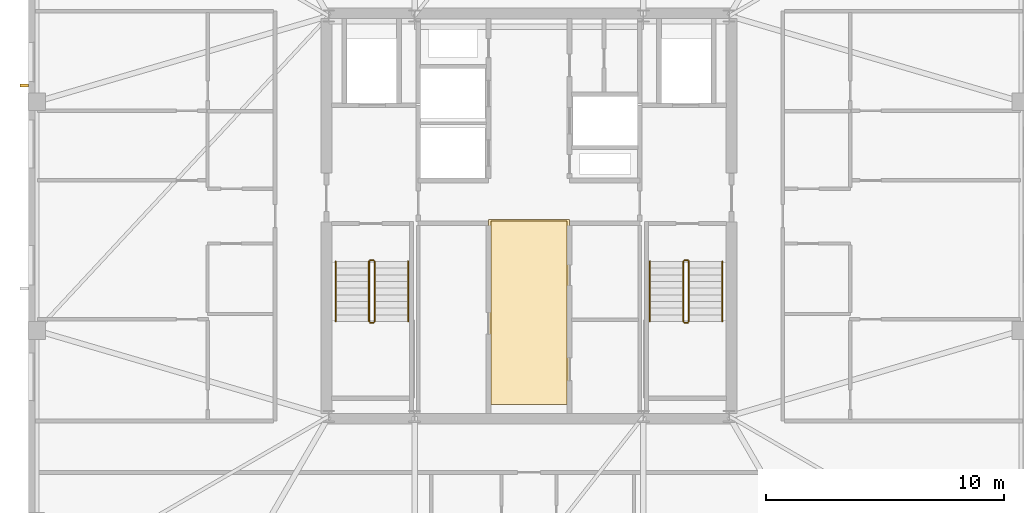
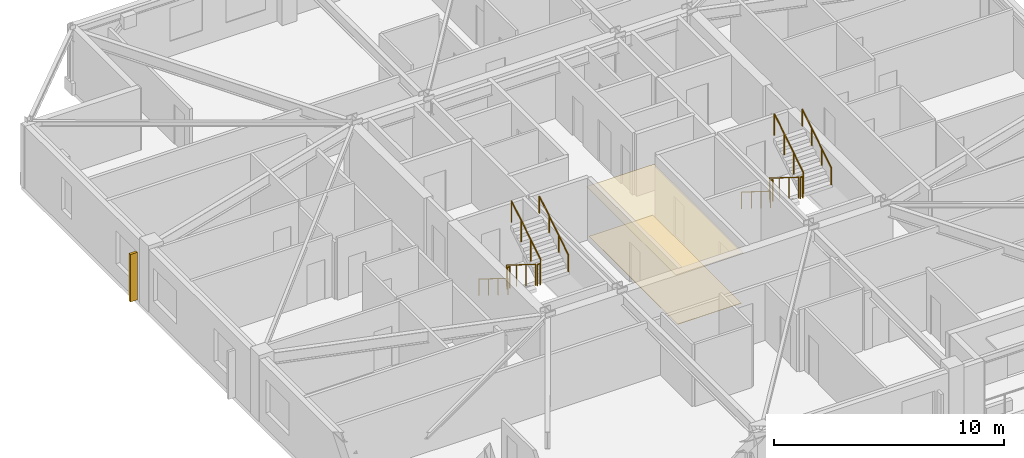
# One storey, part 13 of 15: 12 railings, 2 coverings, 1 shading device.
"""IFC4 building model written with IfcOpenShell, lengths in metres."""

from ifc_helpers import new_model, si_unit, direction, frame, origin, origin_2d, place, context, subcontext, project, spatial, polyline, rectangle, circle, outline, extrude, material, layer, layer_set, type_object, element, save


model = new_model("IFC4")

# Units and contexts
model_context = context("Model", 3, precision=1e-05, world=origin(), true_north=direction((0.0, 1.0)))
body_context = subcontext(model_context, "Body", "Model", "MODEL_VIEW")
ifc_project = project(units=[si_unit("LENGTHUNIT", "METRE"), si_unit("AREAUNIT", "SQUARE_METRE"), si_unit("VOLUMEUNIT", "CUBIC_METRE"), si_unit("PLANEANGLEUNIT", "RADIAN"), si_unit("MASSUNIT", "GRAM", prefix="KILO")], contexts=[model_context])

# Site, building, storey
site_placement = place(None, origin())
site = spatial("IfcSite", under=ifc_project, at=site_placement, CompositionType="ELEMENT")
building_placement = place(site_placement, origin())
building = spatial("IfcBuilding", under=site, at=building_placement, Name="Cairnveth Concourse Tower", CompositionType="ELEMENT")
storey_placement = place(building_placement, frame((0.0, 0.0, 284.0)))
storey = spatial("IfcBuildingStorey", under=building, at=storey_placement, Name="L78", CompositionType="ELEMENT", Elevation=284.0)

# Covering
ifc_material_1 = material(Name="Acoustic Mineral Fibre Ceiling", Category="gypsum")
ifc_layer_1 = layer(ifc_material_1, 0.02490234375)
ifc_layer_set_1 = layer_set([ifc_layer_1], Name="Acoustic Mineral Fibre Ceiling")
covering_type_1 = type_object("IfcCoveringType", Name="ACOUSTIC MINERAL FIBRE CEILING 25", PredefinedType="CEILING", material=ifc_layer_set_1)
covering_1_placement = place(storey_placement, frame((0.0, 0.0, 2.637939453125)))
element("IfcCovering", 1, at=covering_1_placement, inside=storey, type_object=covering_type_1, Name="Lift Lobby Acoustic Ceiling L78", PredefinedType="CEILING", context=body_context, shape_type="SweptSolid", body=[
    extrude(outline(polyline([(50.300048828125, 31.10009765625), (53.699951171875, 31.10009765625), (53.699951171875, 38.85009765625), (50.300048828125, 38.85009765625), (50.300048828125, 31.10009765625)])), origin(), (0.0, 0.0, 1.0), 0.025146484375),
])

# Shading device
ifc_material_2 = material(Name="Architectural Bronze Anodised Aluminium 6063-T6", Category="aluminium")
shading_device_type = type_object("IfcShadingDeviceType", Name="GOTHIC BRONZE VERTICAL LANCET FIN", PredefinedType="USERDEFINED", material=ifc_material_2)
shading_device_placement = place(storey_placement, frame((30.824951171875, 44.4814453125, 0.030029296875), z_axis=(0.0, 0.0, 1.0), x_axis=(0.0, 1.0, 0.0)))
element("IfcShadingDevice", 2, at=shading_device_placement, inside=storey, type_object=shading_device_type, Name="Gothic Bronze Vertical Fin L78-3-5", ObjectType="VERTICAL FIN", PredefinedType="USERDEFINED", context=body_context, shape_type="SweptSolid", body=[
    extrude(rectangle(XDim=0.1201171875, YDim=0.360107421875, at=origin_2d()), origin(), (0.0, 0.0, 1.0), 2.51806640625),
])

# Railings
ifc_material_3 = material(Name="Steel Grade 350", Category="steel")
railing_type_1 = type_object("IfcRailingType", Name="STAIR GUARDRAIL 1150", PredefinedType="GUARDRAIL", material=ifc_material_3)
railing_1_placement = place(storey_placement, frame((45.2900390625, 37.10009765625, 0.175048828125)))
element("IfcRailing", 3, at=railing_1_placement, inside=storey, type_object=railing_type_1, Name="L78 ST-1 stair guard 1", PredefinedType="GUARDRAIL", context=body_context, shape_type="SweptSolid", body=[
    extrude(circle(Radius=0.02392578125, at=origin_2d()), frame((0.0, 0.0, 1.1259765625), z_axis=(0.0, -0.848007534815, 0.529984170421), x_axis=(1.0, 0.0, 0.0)), (0.0, 0.0, 1.0), 2.9716796875),
    extrude(circle(Radius=0.02099609375, at=origin_2d()), origin(), (0.0, 0.0, 1.0), 1.101806640625),
    extrude(circle(Radius=0.02099609375, at=origin_2d()), frame((0.0, -0.840087890625, 0.52490234375)), (0.0, 0.0, 1.0), 1.101806640625),
    extrude(circle(Radius=0.02099609375, at=origin_2d()), frame((0.0, -1.679931640625, 1.050048828125)), (0.0, 0.0, 1.0), 1.101806640625),
    extrude(circle(Radius=0.02099609375, at=origin_2d()), frame((0.0, -2.52001953125, 1.574951171875)), (0.0, 0.0, 1.0), 1.101806640625),
])
railing_2_placement = place(storey_placement, frame((45.340087890625, 34.530029296875, 1.75)))
element("IfcRailing", 4, at=railing_2_placement, inside=storey, type_object=railing_type_1, Name="L78 ST-1 stair guard 2", PredefinedType="GUARDRAIL", context=body_context, shape_type="SweptSolid", body=[
    extrude(circle(Radius=0.02392578125, at=origin_2d()), frame((0.0, 0.0, 1.1259765625), z_axis=(1.0, 0.0, 0.0), x_axis=(0.0, 1.0, 0.0)), (0.0, 0.0, 1.0), 0.139892578125),
    extrude(circle(Radius=0.02099609375, at=origin_2d()), origin(), (0.0, 0.0, 1.0), 1.101806640625),
    extrude(circle(Radius=0.02099609375, at=origin_2d()), frame((0.139892578125, 0.0, 0.0)), (0.0, 0.0, 1.0), 1.101806640625),
])
railing_3_placement = place(storey_placement, frame((45.530029296875, 34.580078125, 1.925048828125)))
element("IfcRailing", 5, at=railing_3_placement, inside=storey, type_object=railing_type_1, Name="L78 ST-1 stair guard 3", PredefinedType="GUARDRAIL", context=body_context, shape_type="SweptSolid", body=[
    extrude(circle(Radius=0.02392578125, at=origin_2d()), frame((0.0, 0.0, 1.1259765625), z_axis=(0.0, 0.848007534815, 0.529984170421), x_axis=(-1.0, 0.0, 0.0)), (0.0, 0.0, 1.0), 2.9716796875),
    extrude(circle(Radius=0.02099609375, at=origin_2d()), origin(), (0.0, 0.0, 1.0), 1.101806640625),
    extrude(circle(Radius=0.02099609375, at=origin_2d()), frame((0.0, 0.840087890625, 0.52490234375)), (0.0, 0.0, 1.0), 1.101806640625),
    extrude(circle(Radius=0.02099609375, at=origin_2d()), frame((0.0, 1.679931640625, 1.050048828125)), (0.0, 0.0, 1.0), 1.101806640625),
    extrude(circle(Radius=0.02099609375, at=origin_2d()), frame((0.0, 2.52001953125, 1.574951171875)), (0.0, 0.0, 1.0), 1.101806640625),
])
railing_4_placement = place(storey_placement, frame((45.340087890625, 37.14990234375, 0.0)))
element("IfcRailing", 6, at=railing_4_placement, inside=storey, type_object=railing_type_1, Name="L78 ST-1 stair guard 4", PredefinedType="GUARDRAIL", context=body_context, shape_type="SweptSolid", body=[
    extrude(circle(Radius=0.02392578125, at=origin_2d()), frame((0.0, 0.0, 1.1259765625), z_axis=(1.0, 0.0, 0.0), x_axis=(0.0, 1.0, 0.0)), (0.0, 0.0, 1.0), 0.139892578125),
    extrude(circle(Radius=0.02099609375, at=origin_2d()), origin(), (0.0, 0.0, 1.0), 1.101806640625),
    extrude(circle(Radius=0.02099609375, at=origin_2d()), frame((0.139892578125, 0.0, 0.0)), (0.0, 0.0, 1.0), 1.101806640625),
])
railing_5_placement = place(storey_placement, frame((58.469970703125, 37.10009765625, 0.175048828125)))
element("IfcRailing", 7, at=railing_5_placement, inside=storey, type_object=railing_type_1, Name="L78 ST-2 stair guard 1", PredefinedType="GUARDRAIL", context=body_context, shape_type="SweptSolid", body=[
    extrude(circle(Radius=0.02392578125, at=origin_2d()), frame((0.0, 0.0, 1.1259765625), z_axis=(0.0, -0.848007534815, 0.529984170421), x_axis=(1.0, 0.0, 0.0)), (0.0, 0.0, 1.0), 2.9716796875),
    extrude(circle(Radius=0.02099609375, at=origin_2d()), origin(), (0.0, 0.0, 1.0), 1.101806640625),
    extrude(circle(Radius=0.02099609375, at=origin_2d()), frame((0.0, -0.840087890625, 0.52490234375)), (0.0, 0.0, 1.0), 1.101806640625),
    extrude(circle(Radius=0.02099609375, at=origin_2d()), frame((0.0, -1.679931640625, 1.050048828125)), (0.0, 0.0, 1.0), 1.101806640625),
    extrude(circle(Radius=0.02099609375, at=origin_2d()), frame((0.0, -2.52001953125, 1.574951171875)), (0.0, 0.0, 1.0), 1.101806640625),
])
railing_6_placement = place(storey_placement, frame((58.52001953125, 34.530029296875, 1.75)))
element("IfcRailing", 8, at=railing_6_placement, inside=storey, type_object=railing_type_1, Name="L78 ST-2 stair guard 2", PredefinedType="GUARDRAIL", context=body_context, shape_type="SweptSolid", body=[
    extrude(circle(Radius=0.02392578125, at=origin_2d()), frame((0.0, 0.0, 1.1259765625), z_axis=(1.0, 0.0, 0.0), x_axis=(0.0, 1.0, 0.0)), (0.0, 0.0, 1.0), 0.139892578125),
    extrude(circle(Radius=0.02099609375, at=origin_2d()), origin(), (0.0, 0.0, 1.0), 1.101806640625),
    extrude(circle(Radius=0.02099609375, at=origin_2d()), frame((0.139892578125, 0.0, 0.0)), (0.0, 0.0, 1.0), 1.101806640625),
])
railing_7_placement = place(storey_placement, frame((58.7099609375, 34.580078125, 1.925048828125)))
element("IfcRailing", 9, at=railing_7_placement, inside=storey, type_object=railing_type_1, Name="L78 ST-2 stair guard 3", PredefinedType="GUARDRAIL", context=body_context, shape_type="SweptSolid", body=[
    extrude(circle(Radius=0.02392578125, at=origin_2d()), frame((0.0, 0.0, 1.1259765625), z_axis=(0.0, 0.848007534815, 0.529984170421), x_axis=(-1.0, 0.0, 0.0)), (0.0, 0.0, 1.0), 2.9716796875),
    extrude(circle(Radius=0.02099609375, at=origin_2d()), origin(), (0.0, 0.0, 1.0), 1.101806640625),
    extrude(circle(Radius=0.02099609375, at=origin_2d()), frame((0.0, 0.840087890625, 0.52490234375)), (0.0, 0.0, 1.0), 1.101806640625),
    extrude(circle(Radius=0.02099609375, at=origin_2d()), frame((0.0, 1.679931640625, 1.050048828125)), (0.0, 0.0, 1.0), 1.101806640625),
    extrude(circle(Radius=0.02099609375, at=origin_2d()), frame((0.0, 2.52001953125, 1.574951171875)), (0.0, 0.0, 1.0), 1.101806640625),
])
railing_8_placement = place(storey_placement, frame((58.52001953125, 37.14990234375, 0.0)))
element("IfcRailing", 10, at=railing_8_placement, inside=storey, type_object=railing_type_1, Name="L78 ST-2 stair guard 4", PredefinedType="GUARDRAIL", context=body_context, shape_type="SweptSolid", body=[
    extrude(circle(Radius=0.02392578125, at=origin_2d()), frame((0.0, 0.0, 1.1259765625), z_axis=(1.0, 0.0, 0.0), x_axis=(0.0, 1.0, 0.0)), (0.0, 0.0, 1.0), 0.139892578125),
    extrude(circle(Radius=0.02099609375, at=origin_2d()), origin(), (0.0, 0.0, 1.0), 1.101806640625),
    extrude(circle(Radius=0.02099609375, at=origin_2d()), frame((0.139892578125, 0.0, 0.0)), (0.0, 0.0, 1.0), 1.101806640625),
])
railing_type_2 = type_object("IfcRailingType", Name="STAIR WALL HANDRAIL 900", PredefinedType="HANDRAIL", material=ifc_material_3)
railing_9_placement = place(storey_placement, frame((43.889892578125, 37.10009765625, 0.175048828125)))
element("IfcRailing", 11, at=railing_9_placement, inside=storey, type_object=railing_type_2, Name="L78 ST-1 stair handrail 1", PredefinedType="HANDRAIL", context=body_context, shape_type="SweptSolid", body=[
    extrude(circle(Radius=0.02392578125, at=origin_2d()), frame((0.0, 0.0, 0.8759765625), z_axis=(0.0, -0.848007534815, 0.529984170421), x_axis=(1.0, 0.0, 0.0)), (0.0, 0.0, 1.0), 2.9716796875),
    extrude(circle(Radius=0.02099609375, at=origin_2d()), origin(), (0.0, 0.0, 1.0), 0.851806640625),
    extrude(circle(Radius=0.02099609375, at=origin_2d()), frame((0.0, -0.840087890625, 0.52490234375)), (0.0, 0.0, 1.0), 0.851806640625),
    extrude(circle(Radius=0.02099609375, at=origin_2d()), frame((0.0, -1.679931640625, 1.050048828125)), (0.0, 0.0, 1.0), 0.851806640625),
    extrude(circle(Radius=0.02099609375, at=origin_2d()), frame((0.0, -2.52001953125, 1.574951171875)), (0.0, 0.0, 1.0), 0.851806640625),
])
railing_10_placement = place(storey_placement, frame((46.929931640625, 34.580078125, 1.925048828125)))
element("IfcRailing", 12, at=railing_10_placement, inside=storey, type_object=railing_type_2, Name="L78 ST-1 stair handrail 2", PredefinedType="HANDRAIL", context=body_context, shape_type="SweptSolid", body=[
    extrude(circle(Radius=0.02392578125, at=origin_2d()), frame((0.0, 0.0, 0.8759765625), z_axis=(0.0, 0.848007534815, 0.529984170421), x_axis=(-1.0, 0.0, 0.0)), (0.0, 0.0, 1.0), 2.9716796875),
    extrude(circle(Radius=0.02099609375, at=origin_2d()), origin(), (0.0, 0.0, 1.0), 0.851806640625),
    extrude(circle(Radius=0.02099609375, at=origin_2d()), frame((0.0, 0.840087890625, 0.52490234375)), (0.0, 0.0, 1.0), 0.851806640625),
    extrude(circle(Radius=0.02099609375, at=origin_2d()), frame((0.0, 1.679931640625, 1.050048828125)), (0.0, 0.0, 1.0), 0.851806640625),
    extrude(circle(Radius=0.02099609375, at=origin_2d()), frame((0.0, 2.52001953125, 1.574951171875)), (0.0, 0.0, 1.0), 0.851806640625),
])
railing_11_placement = place(storey_placement, frame((57.070068359375, 37.10009765625, 0.175048828125)))
element("IfcRailing", 13, at=railing_11_placement, inside=storey, type_object=railing_type_2, Name="L78 ST-2 stair handrail 1", PredefinedType="HANDRAIL", context=body_context, shape_type="SweptSolid", body=[
    extrude(circle(Radius=0.02392578125, at=origin_2d()), frame((0.0, 0.0, 0.8759765625), z_axis=(0.0, -0.848007534815, 0.529984170421), x_axis=(1.0, 0.0, 0.0)), (0.0, 0.0, 1.0), 2.9716796875),
    extrude(circle(Radius=0.02099609375, at=origin_2d()), origin(), (0.0, 0.0, 1.0), 0.851806640625),
    extrude(circle(Radius=0.02099609375, at=origin_2d()), frame((0.0, -0.840087890625, 0.52490234375)), (0.0, 0.0, 1.0), 0.851806640625),
    extrude(circle(Radius=0.02099609375, at=origin_2d()), frame((0.0, -1.679931640625, 1.050048828125)), (0.0, 0.0, 1.0), 0.851806640625),
    extrude(circle(Radius=0.02099609375, at=origin_2d()), frame((0.0, -2.52001953125, 1.574951171875)), (0.0, 0.0, 1.0), 0.851806640625),
])
railing_12_placement = place(storey_placement, frame((60.110107421875, 34.580078125, 1.925048828125)))
element("IfcRailing", 14, at=railing_12_placement, inside=storey, type_object=railing_type_2, Name="L78 ST-2 stair handrail 2", PredefinedType="HANDRAIL", context=body_context, shape_type="SweptSolid", body=[
    extrude(circle(Radius=0.02392578125, at=origin_2d()), frame((0.0, 0.0, 0.8759765625), z_axis=(0.0, 0.848007534815, 0.529984170421), x_axis=(-1.0, 0.0, 0.0)), (0.0, 0.0, 1.0), 2.9716796875),
    extrude(circle(Radius=0.02099609375, at=origin_2d()), origin(), (0.0, 0.0, 1.0), 0.851806640625),
    extrude(circle(Radius=0.02099609375, at=origin_2d()), frame((0.0, 0.840087890625, 0.52490234375)), (0.0, 0.0, 1.0), 0.851806640625),
    extrude(circle(Radius=0.02099609375, at=origin_2d()), frame((0.0, 1.679931640625, 1.050048828125)), (0.0, 0.0, 1.0), 0.851806640625),
    extrude(circle(Radius=0.02099609375, at=origin_2d()), frame((0.0, 2.52001953125, 1.574951171875)), (0.0, 0.0, 1.0), 0.851806640625),
])

# Covering
ifc_material_4 = material(Name="Vitrified Stoneware Tile Flooring", Category="masonry")
ifc_layer_2 = layer(ifc_material_4, 0.02001953125)
ifc_layer_set_2 = layer_set([ifc_layer_2], Name="Vitrified Stoneware Tile Flooring")
covering_type_2 = type_object("IfcCoveringType", Name="VITRIFIED STONEWARE LOBBY FLOORING 20", PredefinedType="FLOORING", material=ifc_layer_set_2)
covering_2_placement = place(storey_placement, origin())
element("IfcCovering", 15, at=covering_2_placement, inside=storey, type_object=covering_type_2, Name="Lift Lobby Stoneware Flooring L78", PredefinedType="FLOORING", context=body_context, shape_type="SweptSolid", body=[
    extrude(outline(polyline([(50.39990234375, 31.10009765625), (53.60009765625, 31.10009765625), (53.60009765625, 38.800048828125), (50.39990234375, 38.800048828125), (50.39990234375, 31.10009765625)])), origin(), (0.0, 0.0, 1.0), 0.02001953125),
])

save(model, "model.ifc")
